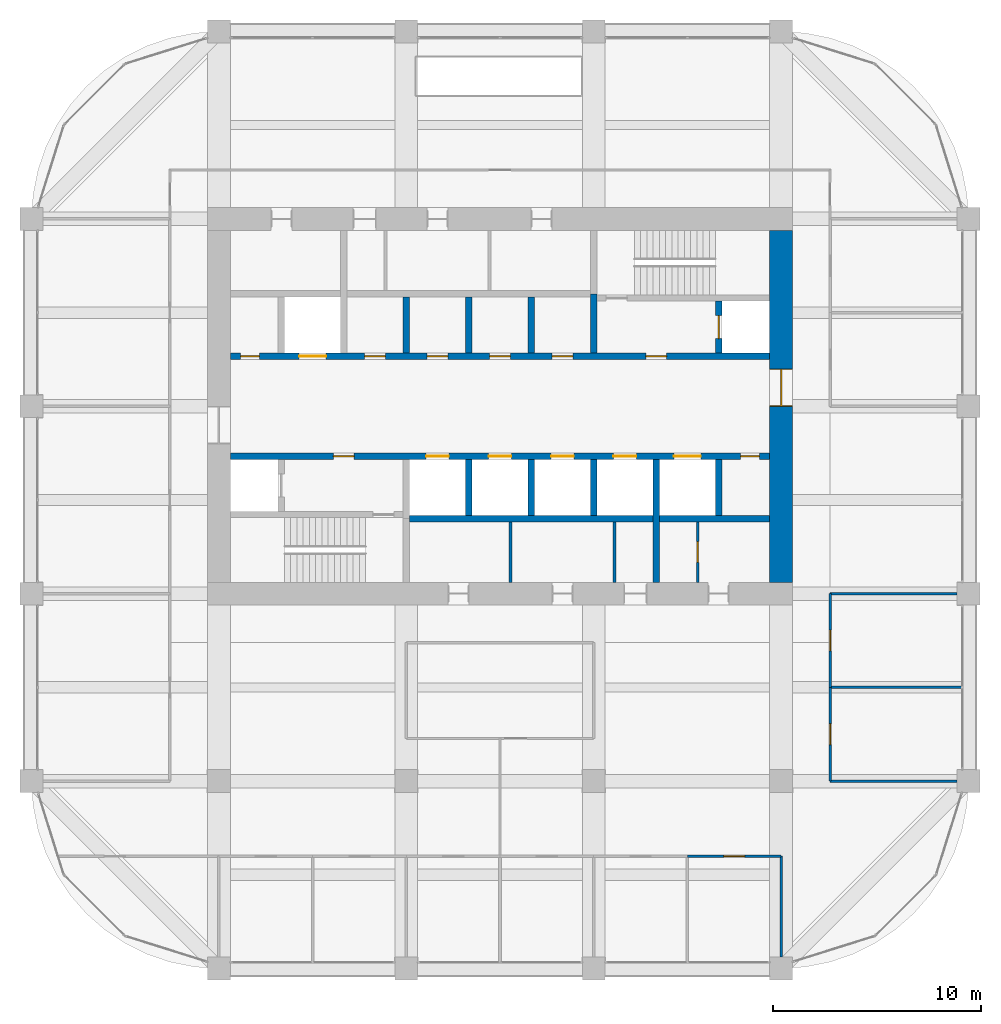
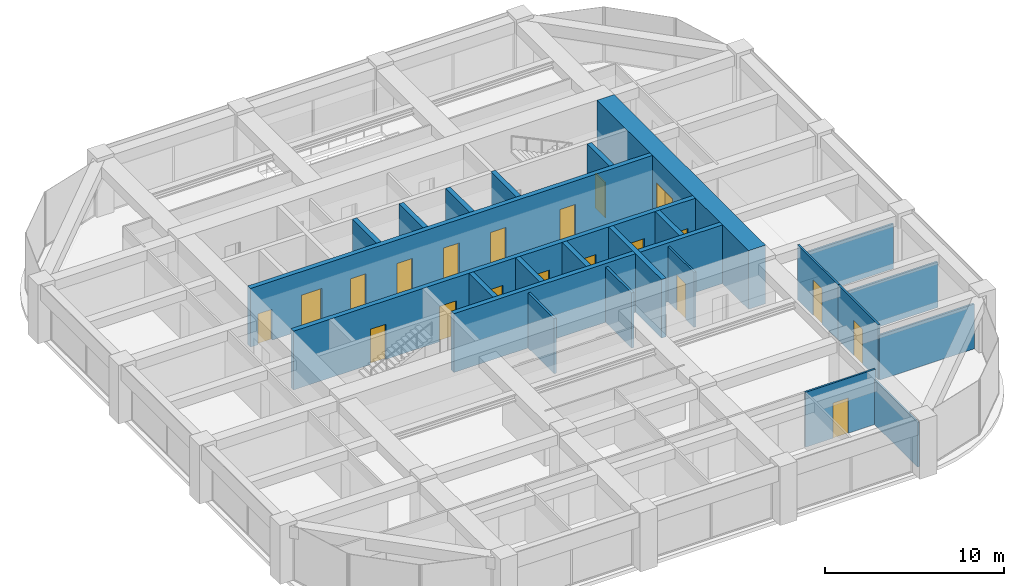
# One storey, part 42 of 44: 24 walls, 20 doors, 20 openings.
"""IFC4 building model written with IfcOpenShell, lengths in metres."""

from ifc_helpers import new_model, si_unit, direction, frame, frame_2d, origin, place, context, subcontext, project, spatial, rectangle, extrude, material, layer, layer_set, type_object, element, fill, save


model = new_model("IFC4")

# Units and contexts
model_context = context("Model", 3, precision=1e-05, world=origin(), true_north=direction((0.0, 1.0)))
body_context = subcontext(model_context, "Body", "Model", "MODEL_VIEW")
ifc_project = project(units=[si_unit("LENGTHUNIT", "METRE"), si_unit("AREAUNIT", "SQUARE_METRE"), si_unit("VOLUMEUNIT", "CUBIC_METRE"), si_unit("PLANEANGLEUNIT", "RADIAN"), si_unit("MASSUNIT", "GRAM", prefix="KILO")], contexts=[model_context])

# Site, building, storey
site_placement = place(None, origin())
site = spatial("IfcSite", under=ifc_project, at=site_placement, CompositionType="ELEMENT")
building_placement = place(site_placement, origin())
building = spatial("IfcBuilding", under=site, at=building_placement, Name="Zorevar Civic Tower", CompositionType="ELEMENT")
storey_placement = place(building_placement, frame((0.0, 0.0, 295.39990234375)))
storey = spatial("IfcBuildingStorey", under=building, at=storey_placement, Name="L72", CompositionType="ELEMENT", Elevation=295.39990234375)

# Wall, opening, door
ifc_material_1 = material(Name="Concrete C50/60", Category="concrete")
ifc_layer_1 = layer(ifc_material_1, 1.10009765625)
ifc_layer_set_1 = layer_set([ifc_layer_1], Name="Core wall 1100")
wall_type_1 = type_object("IfcWallType", Name="Core wall 1100", PredefinedType="SHEAR", material=ifc_layer_set_1)
wall_1_placement = place(storey_placement, frame((45.0, 18.550048828125, 0.0), z_axis=(0.0, 0.0, 1.0), x_axis=(0.0, 1.0, 0.0)))
wall_1 = element("IfcWall", 1, at=wall_1_placement, inside=storey, type_object=wall_type_1, Name="Core wall E L72", PredefinedType="SHEAR", context=body_context, shape_type="SweptSolid", body=[
    extrude(rectangle(XDim=16.89990234375, YDim=1.10009765625, at=frame_2d((8.449951171875, 0.0))), origin(), (0.0, 0.0, 1.0), 4.0),
])
opening_1_placement = place(wall_1_placement, frame((8.449951171875, 0.0, 0.0)))
opening_1 = element("IfcOpeningElement", 2, at=opening_1_placement, cuts=wall_1, Name="Opening L72.02", PredefinedType="OPENING", context=body_context, shape_type="SweptSolid", body=[
    extrude(rectangle(XDim=1.800048828125, YDim=2.39990234375, at=frame_2d((0.89990234375, 1.199951171875))), frame((0.0, 0.56005859375, 0.0), z_axis=(0.0, -1.0, 0.0), x_axis=(1.0, 0.0, 0.0)), (0.0, 0.0, 1.0), 1.1201171875),
])
ifc_material_2 = material(Name="Steel door set", Category="steel")
door_type_1 = type_object("IfcDoorType", Name="Fire door FD2 1800x2400", OperationType="DOUBLE_DOOR_DOUBLE_SWING", PredefinedType="DOOR", material=ifc_material_2)
door_1_placement = place(opening_1_placement, origin())
door_1 = element("IfcDoor", 3, at=door_1_placement, inside=storey, type_object=door_type_1, Name="Door L72 01", OperationType="DOUBLE_DOOR_DOUBLE_SWING", OverallHeight=2.39990234375, OverallWidth=1.800048828125, PredefinedType="DOOR", context=body_context, shape_type="SweptSolid", body=[
    extrude(rectangle(XDim=1.800048828125, YDim=2.39990234375, at=frame_2d((0.89990234375, 1.199951171875))), frame((0.0, 0.030029296875, 0.0), z_axis=(0.0, -1.0, 0.0), x_axis=(1.0, 0.0, 0.0)), (0.0, 0.0, 1.0), 0.06005859375),
    extrude(rectangle(XDim=0.04, YDim=2.39990234375, at=frame_2d((0.02001953125, 1.199951171875))), frame((0.0, 0.5498046875, 0.0), z_axis=(0.0, -1.0, 0.0), x_axis=(1.0, 0.0, 0.0)), (0.0, 0.0, 1.0), 1.099609375),
    extrude(rectangle(XDim=0.04, YDim=2.39990234375, at=frame_2d((1.780029296875, 1.199951171875))), frame((0.0, 0.5498046875, 0.0), z_axis=(0.0, -1.0, 0.0), x_axis=(1.0, 0.0, 0.0)), (0.0, 0.0, 1.0), 1.099609375),
    extrude(rectangle(XDim=1.800048828125, YDim=0.04, at=frame_2d((0.89990234375, 2.3798828125))), frame((0.0, 0.5498046875, 0.0), z_axis=(0.0, -1.0, 0.0), x_axis=(1.0, 0.0, 0.0)), (0.0, 0.0, 1.0), 1.099609375),
])
fill(opening_1, door_1)

ifc_material_3 = material(Name="Concrete C40/50", Category="concrete")
ifc_layer_2 = layer(ifc_material_3, 0.300048828125)
ifc_layer_set_2 = layer_set([ifc_layer_2], Name="Inner core wall 300")
wall_type_2 = type_object("IfcWallType", Name="Inner core wall 300", PredefinedType="SHEAR", material=ifc_layer_set_2)
wall_2_placement = place(storey_placement, frame((42.0, 29.550048828125, 0.0), z_axis=(0.0, 0.0, 1.0), x_axis=(0.0, 1.0, 0.0)))
wall_2 = element("IfcWall", 4, at=wall_2_placement, inside=storey, type_object=wall_type_2, Name="Inner core wall N02 L72", PredefinedType="SHEAR", context=body_context, shape_type="SweptSolid", body=[
    extrude(rectangle(XDim=2.5, YDim=0.300048828125, at=frame_2d((1.25, 0.0))), origin(), (0.0, 0.0, 1.0), 4.0),
])
opening_2_placement = place(wall_2_placement, frame((0.699951171875, 0.0, 0.0)))
opening_2 = element("IfcOpeningElement", 5, at=opening_2_placement, cuts=wall_2, Name="Opening L72.FL2", PredefinedType="OPENING", context=body_context, shape_type="SweptSolid", body=[
    extrude(rectangle(XDim=1.10009765625, YDim=2.39990234375, at=frame_2d((0.550048828125, 1.199951171875))), frame((0.0, 0.159912109375, 0.0), z_axis=(0.0, -1.0, 0.0), x_axis=(1.0, 0.0, 0.0)), (0.0, 0.0, 1.0), 0.320068359375),
])
ifc_material_4 = material(Name="Steel door set", Category="steel")
door_type_2 = type_object("IfcDoorType", Name="Firefighting lift landing door LD3 1100x2400", OperationType="DOUBLE_DOOR_SLIDING", PredefinedType="DOOR", material=ifc_material_4)
door_2_placement = place(opening_2_placement, origin())
door_2 = element("IfcDoor", 6, at=door_2_placement, inside=storey, type_object=door_type_2, Name="Landing door FL2 L72", OperationType="DOUBLE_DOOR_SLIDING", OverallHeight=2.39990234375, OverallWidth=1.10009765625, PredefinedType="DOOR", context=body_context, shape_type="SweptSolid", body=[
    extrude(rectangle(XDim=1.10009765625, YDim=2.39990234375, at=frame_2d((0.550048828125, 1.199951171875))), frame((0.0, 0.030029296875, 0.0), z_axis=(0.0, -1.0, 0.0), x_axis=(1.0, 0.0, 0.0)), (0.0, 0.0, 1.0), 0.06005859375),
])
fill(opening_2, door_2)

# Wall, openings, doors
wall_3_placement = place(storey_placement, frame((18.550048828125, 24.60009765625, 0.0), z_axis=(0.0, 0.0, 1.0), x_axis=(1.0, 0.0, 0.0)))
wall_3 = element("IfcWall", 7, at=wall_3_placement, inside=storey, type_object=wall_type_2, Name="Inner core wall S03 L72", PredefinedType="SHEAR", context=body_context, shape_type="SweptSolid", body=[
    extrude(rectangle(XDim=25.89990234375, YDim=0.300048828125, at=frame_2d((12.949951171875, 0.0))), origin(), (0.0, 0.0, 1.0), 4.0),
])
opening_3_placement = place(wall_3_placement, frame((4.949951171875, 0.0, 0.0)))
opening_3 = element("IfcOpeningElement", 8, at=opening_3_placement, cuts=wall_3, Name="Opening L72.13", PredefinedType="OPENING", context=body_context, shape_type="SweptSolid", body=[
    extrude(rectangle(XDim=1.0, YDim=2.39990234375, at=frame_2d((0.5, 1.199951171875))), frame((0.0, 0.159912109375, 0.0), z_axis=(0.0, -1.0, 0.0), x_axis=(1.0, 0.0, 0.0)), (0.0, 0.0, 1.0), 0.320068359375),
])
opening_4_placement = place(wall_3_placement, frame((24.5, 0.0, 0.0)))
opening_4 = element("IfcOpeningElement", 9, at=opening_4_placement, cuts=wall_3, Name="Opening L72.15", PredefinedType="OPENING", context=body_context, shape_type="SweptSolid", body=[
    extrude(rectangle(XDim=0.89990234375, YDim=2.10009765625, at=frame_2d((0.449951171875, 1.050048828125))), frame((0.0, 0.159912109375, 0.0), z_axis=(0.0, -1.0, 0.0), x_axis=(1.0, 0.0, 0.0)), (0.0, 0.0, 1.0), 0.320068359375),
])
opening_5_placement = place(wall_3_placement, frame((9.39990234375, 0.0, 0.0)))
opening_5 = element("IfcOpeningElement", 10, at=opening_5_placement, cuts=wall_3, Name="Opening L72.LT1", PredefinedType="OPENING", context=body_context, shape_type="SweptSolid", body=[
    extrude(rectangle(XDim=1.10009765625, YDim=2.39990234375, at=frame_2d((0.550048828125, 1.199951171875))), frame((0.0, 0.159912109375, 0.0), z_axis=(0.0, -1.0, 0.0), x_axis=(1.0, 0.0, 0.0)), (0.0, 0.0, 1.0), 0.320068359375),
])
opening_6_placement = place(wall_3_placement, frame((12.39990234375, 0.0, 0.0)))
opening_6 = element("IfcOpeningElement", 11, at=opening_6_placement, cuts=wall_3, Name="Opening L72.LT2", PredefinedType="OPENING", context=body_context, shape_type="SweptSolid", body=[
    extrude(rectangle(XDim=1.10009765625, YDim=2.39990234375, at=frame_2d((0.550048828125, 1.199951171875))), frame((0.0, 0.159912109375, 0.0), z_axis=(0.0, -1.0, 0.0), x_axis=(1.0, 0.0, 0.0)), (0.0, 0.0, 1.0), 0.320068359375),
])
opening_7_placement = place(wall_3_placement, frame((15.39990234375, 0.0, 0.0)))
opening_7 = element("IfcOpeningElement", 12, at=opening_7_placement, cuts=wall_3, Name="Opening L72.LT3", PredefinedType="OPENING", context=body_context, shape_type="SweptSolid", body=[
    extrude(rectangle(XDim=1.10009765625, YDim=2.39990234375, at=frame_2d((0.550048828125, 1.199951171875))), frame((0.0, 0.159912109375, 0.0), z_axis=(0.0, -1.0, 0.0), x_axis=(1.0, 0.0, 0.0)), (0.0, 0.0, 1.0), 0.320068359375),
])
opening_8_placement = place(wall_3_placement, frame((18.39990234375, 0.0, 0.0)))
opening_8 = element("IfcOpeningElement", 13, at=opening_8_placement, cuts=wall_3, Name="Opening L72.LT4", PredefinedType="OPENING", context=body_context, shape_type="SweptSolid", body=[
    extrude(rectangle(XDim=1.10009765625, YDim=2.39990234375, at=frame_2d((0.550048828125, 1.199951171875))), frame((0.0, 0.159912109375, 0.0), z_axis=(0.0, -1.0, 0.0), x_axis=(1.0, 0.0, 0.0)), (0.0, 0.0, 1.0), 0.320068359375),
])
opening_9_placement = place(wall_3_placement, frame((21.300048828125, 0.0, 0.0)))
opening_9 = element("IfcOpeningElement", 14, at=opening_9_placement, cuts=wall_3, Name="Opening L72.SL1", PredefinedType="OPENING", context=body_context, shape_type="SweptSolid", body=[
    extrude(rectangle(XDim=1.300048828125, YDim=2.39990234375, at=frame_2d((0.64990234375, 1.199951171875))), frame((0.0, 0.159912109375, 0.0), z_axis=(0.0, -1.0, 0.0), x_axis=(1.0, 0.0, 0.0)), (0.0, 0.0, 1.0), 0.320068359375),
])
ifc_material_5 = material(Name="Steel door set", Category="steel")
door_type_3 = type_object("IfcDoorType", Name="Fire door FD1 1000x2400", OperationType="SINGLE_SWING_LEFT", PredefinedType="DOOR", material=ifc_material_5)
door_3_placement = place(opening_3_placement, origin())
door_3 = element("IfcDoor", 15, at=door_3_placement, inside=storey, type_object=door_type_3, Name="Door L72 12", OperationType="SINGLE_SWING_RIGHT", OverallHeight=2.39990234375, OverallWidth=1.0, PredefinedType="DOOR", context=body_context, shape_type="SweptSolid", body=[
    extrude(rectangle(XDim=1.0, YDim=2.39990234375, at=frame_2d((0.5, 1.199951171875))), frame((0.0, 0.030029296875, 0.0), z_axis=(0.0, -1.0, 0.0), x_axis=(1.0, 0.0, 0.0)), (0.0, 0.0, 1.0), 0.06005859375),
])
fill(opening_3, door_3)
ifc_material_6 = material(Name="Steel door set", Category="steel")
door_type_4 = type_object("IfcDoorType", Name="Landing door LD1 1100x2400", OperationType="DOUBLE_DOOR_SLIDING", PredefinedType="DOOR", material=ifc_material_6)
door_4_placement = place(opening_5_placement, origin())
door_4 = element("IfcDoor", 16, at=door_4_placement, inside=storey, type_object=door_type_4, Name="Landing door LT1 L72", OperationType="DOUBLE_DOOR_SLIDING", OverallHeight=2.39990234375, OverallWidth=1.10009765625, PredefinedType="DOOR", context=body_context, shape_type="SweptSolid", body=[
    extrude(rectangle(XDim=1.10009765625, YDim=2.39990234375, at=frame_2d((0.550048828125, 1.199951171875))), frame((0.0, 0.02001953125, 0.0), z_axis=(0.0, -1.0, 0.0), x_axis=(1.0, 0.0, 0.0)), (0.0, 0.0, 1.0), 0.0400390625),
])
fill(opening_5, door_4)
door_5_placement = place(opening_6_placement, origin())
door_5 = element("IfcDoor", 17, at=door_5_placement, inside=storey, type_object=door_type_4, Name="Landing door LT2 L72", OperationType="DOUBLE_DOOR_SLIDING", OverallHeight=2.39990234375, OverallWidth=1.10009765625, PredefinedType="DOOR", context=body_context, shape_type="SweptSolid", body=[
    extrude(rectangle(XDim=1.10009765625, YDim=2.39990234375, at=frame_2d((0.550048828125, 1.199951171875))), frame((0.0, 0.02001953125, 0.0), z_axis=(0.0, -1.0, 0.0), x_axis=(1.0, 0.0, 0.0)), (0.0, 0.0, 1.0), 0.0400390625),
])
fill(opening_6, door_5)
door_6_placement = place(opening_7_placement, origin())
door_6 = element("IfcDoor", 18, at=door_6_placement, inside=storey, type_object=door_type_4, Name="Landing door LT3 L72", OperationType="DOUBLE_DOOR_SLIDING", OverallHeight=2.39990234375, OverallWidth=1.10009765625, PredefinedType="DOOR", context=body_context, shape_type="SweptSolid", body=[
    extrude(rectangle(XDim=1.10009765625, YDim=2.39990234375, at=frame_2d((0.550048828125, 1.199951171875))), frame((0.0, 0.02001953125, 0.0), z_axis=(0.0, -1.0, 0.0), x_axis=(1.0, 0.0, 0.0)), (0.0, 0.0, 1.0), 0.0400390625),
])
fill(opening_7, door_6)
door_7_placement = place(opening_8_placement, origin())
door_7 = element("IfcDoor", 19, at=door_7_placement, inside=storey, type_object=door_type_4, Name="Landing door LT4 L72", OperationType="DOUBLE_DOOR_SLIDING", OverallHeight=2.39990234375, OverallWidth=1.10009765625, PredefinedType="DOOR", context=body_context, shape_type="SweptSolid", body=[
    extrude(rectangle(XDim=1.10009765625, YDim=2.39990234375, at=frame_2d((0.550048828125, 1.199951171875))), frame((0.0, 0.02001953125, 0.0), z_axis=(0.0, -1.0, 0.0), x_axis=(1.0, 0.0, 0.0)), (0.0, 0.0, 1.0), 0.0400390625),
])
fill(opening_8, door_7)
ifc_material_7 = material(Name="Steel door set", Category="steel")
door_type_5 = type_object("IfcDoorType", Name="Landing door LD2 1300x2400", OperationType="DOUBLE_DOOR_SLIDING", PredefinedType="DOOR", material=ifc_material_7)
door_8_placement = place(opening_9_placement, origin())
door_8 = element("IfcDoor", 20, at=door_8_placement, inside=storey, type_object=door_type_5, Name="Landing door SL1 L72", OperationType="DOUBLE_DOOR_SLIDING", OverallHeight=2.39990234375, OverallWidth=1.300048828125, PredefinedType="DOOR", context=body_context, shape_type="SweptSolid", body=[
    extrude(rectangle(XDim=1.300048828125, YDim=2.39990234375, at=frame_2d((0.64990234375, 1.199951171875))), frame((0.0, 0.02001953125, 0.0), z_axis=(0.0, -1.0, 0.0), x_axis=(1.0, 0.0, 0.0)), (0.0, 0.0, 1.0), 0.0400390625),
])
fill(opening_9, door_8)
ifc_material_8 = material(Name="Steel door set", Category="steel")
door_type_6 = type_object("IfcDoorType", Name="Riser door RD1 900x2100", OperationType="SINGLE_SWING_LEFT", PredefinedType="DOOR", material=ifc_material_8)
door_9_placement = place(opening_4_placement, origin())
door_9 = element("IfcDoor", 21, at=door_9_placement, inside=storey, type_object=door_type_6, Name="Door L72 14", OperationType="SINGLE_SWING_RIGHT", OverallHeight=2.10009765625, OverallWidth=0.89990234375, PredefinedType="DOOR", context=body_context, shape_type="SweptSolid", body=[
    extrude(rectangle(XDim=0.89990234375, YDim=2.10009765625, at=frame_2d((0.449951171875, 1.050048828125))), frame((0.0, 0.030029296875, 0.0), z_axis=(0.0, -1.0, 0.0), x_axis=(1.0, 0.0, 0.0)), (0.0, 0.0, 1.0), 0.06005859375),
])
fill(opening_4, door_9)

wall_4_placement = place(storey_placement, frame((18.550048828125, 29.39990234375, 0.0), z_axis=(0.0, 0.0, 1.0), x_axis=(1.0, 0.0, 0.0)))
wall_4 = element("IfcWall", 22, at=wall_4_placement, inside=storey, type_object=wall_type_2, Name="Inner core wall N03 L72", PredefinedType="SHEAR", context=body_context, shape_type="SweptSolid", body=[
    extrude(rectangle(XDim=25.89990234375, YDim=0.300048828125, at=frame_2d((12.949951171875, 0.0))), origin(), (0.0, 0.0, 1.0), 4.0),
])
opening_10_placement = place(wall_4_placement, frame((19.949951171875, 0.0, 0.0)))
opening_10 = element("IfcOpeningElement", 23, at=opening_10_placement, cuts=wall_4, Name="Opening L72.14", PredefinedType="OPENING", context=body_context, shape_type="SweptSolid", body=[
    extrude(rectangle(XDim=1.0, YDim=2.39990234375, at=frame_2d((0.5, 1.199951171875))), frame((0.0, 0.159912109375, 0.0), z_axis=(0.0, -1.0, 0.0), x_axis=(1.0, 0.0, 0.0)), (0.0, 0.0, 1.0), 0.320068359375),
])
opening_11_placement = place(wall_4_placement, frame((0.5, 0.0, 0.0)))
opening_11 = element("IfcOpeningElement", 24, at=opening_11_placement, cuts=wall_4, Name="Opening L72.16", PredefinedType="OPENING", context=body_context, shape_type="SweptSolid", body=[
    extrude(rectangle(XDim=0.89990234375, YDim=2.10009765625, at=frame_2d((0.449951171875, 1.050048828125))), frame((0.0, 0.159912109375, 0.0), z_axis=(0.0, -1.0, 0.0), x_axis=(1.0, 0.0, 0.0)), (0.0, 0.0, 1.0), 0.320068359375),
])
opening_12_placement = place(wall_4_placement, frame((15.449951171875, 0.0, 0.0)))
opening_12 = element("IfcOpeningElement", 25, at=opening_12_placement, cuts=wall_4, Name="Opening L72.36", PredefinedType="OPENING", context=body_context, shape_type="SweptSolid", body=[
    extrude(rectangle(XDim=1.0, YDim=2.39990234375, at=frame_2d((0.5, 1.199951171875))), frame((0.0, 0.159912109375, 0.0), z_axis=(0.0, -1.0, 0.0), x_axis=(1.0, 0.0, 0.0)), (0.0, 0.0, 1.0), 0.320068359375),
])
opening_13_placement = place(wall_4_placement, frame((12.449951171875, 0.0, 0.0)))
opening_13 = element("IfcOpeningElement", 26, at=opening_13_placement, cuts=wall_4, Name="Opening L72.37", PredefinedType="OPENING", context=body_context, shape_type="SweptSolid", body=[
    extrude(rectangle(XDim=1.0, YDim=2.39990234375, at=frame_2d((0.5, 1.199951171875))), frame((0.0, 0.159912109375, 0.0), z_axis=(0.0, -1.0, 0.0), x_axis=(1.0, 0.0, 0.0)), (0.0, 0.0, 1.0), 0.320068359375),
])
opening_14_placement = place(wall_4_placement, frame((9.449951171875, 0.0, 0.0)))
opening_14 = element("IfcOpeningElement", 27, at=opening_14_placement, cuts=wall_4, Name="Opening L72.38", PredefinedType="OPENING", context=body_context, shape_type="SweptSolid", body=[
    extrude(rectangle(XDim=1.0, YDim=2.39990234375, at=frame_2d((0.5, 1.199951171875))), frame((0.0, 0.159912109375, 0.0), z_axis=(0.0, -1.0, 0.0), x_axis=(1.0, 0.0, 0.0)), (0.0, 0.0, 1.0), 0.320068359375),
])
opening_15_placement = place(wall_4_placement, frame((6.449951171875, 0.0, 0.0)))
opening_15 = element("IfcOpeningElement", 28, at=opening_15_placement, cuts=wall_4, Name="Opening L72.39", PredefinedType="OPENING", context=body_context, shape_type="SweptSolid", body=[
    extrude(rectangle(XDim=1.0, YDim=2.39990234375, at=frame_2d((0.5, 1.199951171875))), frame((0.0, 0.159912109375, 0.0), z_axis=(0.0, -1.0, 0.0), x_axis=(1.0, 0.0, 0.0)), (0.0, 0.0, 1.0), 0.320068359375),
])
opening_16_placement = place(wall_4_placement, frame((3.300048828125, 0.0, 0.0)))
opening_16 = element("IfcOpeningElement", 29, at=opening_16_placement, cuts=wall_4, Name="Opening L72.SL2", PredefinedType="OPENING", context=body_context, shape_type="SweptSolid", body=[
    extrude(rectangle(XDim=1.300048828125, YDim=2.39990234375, at=frame_2d((0.64990234375, 1.199951171875))), frame((0.0, 0.159912109375, 0.0), z_axis=(0.0, -1.0, 0.0), x_axis=(1.0, 0.0, 0.0)), (0.0, 0.0, 1.0), 0.320068359375),
])
door_10_placement = place(opening_10_placement, origin())
door_10 = element("IfcDoor", 30, at=door_10_placement, inside=storey, type_object=door_type_3, Name="Door L72 13", OperationType="SINGLE_SWING_RIGHT", OverallHeight=2.39990234375, OverallWidth=1.0, PredefinedType="DOOR", context=body_context, shape_type="SweptSolid", body=[
    extrude(rectangle(XDim=1.0, YDim=2.39990234375, at=frame_2d((0.5, 1.199951171875))), frame((0.0, 0.030029296875, 0.0), z_axis=(0.0, -1.0, 0.0), x_axis=(1.0, 0.0, 0.0)), (0.0, 0.0, 1.0), 0.06005859375),
])
fill(opening_10, door_10)
door_11_placement = place(opening_12_placement, origin())
door_11 = element("IfcDoor", 31, at=door_11_placement, inside=storey, type_object=door_type_3, Name="Door L72 LM1 shaft room", OperationType="SINGLE_SWING_LEFT", OverallHeight=2.39990234375, OverallWidth=1.0, PredefinedType="DOOR", context=body_context, shape_type="SweptSolid", body=[
    extrude(rectangle(XDim=1.0, YDim=2.39990234375, at=frame_2d((0.5, 1.199951171875))), frame((0.0, 0.030029296875, 0.0), z_axis=(0.0, -1.0, 0.0), x_axis=(1.0, 0.0, 0.0)), (0.0, 0.0, 1.0), 0.06005859375),
])
fill(opening_12, door_11)
door_12_placement = place(opening_13_placement, origin())
door_12 = element("IfcDoor", 32, at=door_12_placement, inside=storey, type_object=door_type_3, Name="Door L72 LM2 shaft room", OperationType="SINGLE_SWING_LEFT", OverallHeight=2.39990234375, OverallWidth=1.0, PredefinedType="DOOR", context=body_context, shape_type="SweptSolid", body=[
    extrude(rectangle(XDim=1.0, YDim=2.39990234375, at=frame_2d((0.5, 1.199951171875))), frame((0.0, 0.030029296875, 0.0), z_axis=(0.0, -1.0, 0.0), x_axis=(1.0, 0.0, 0.0)), (0.0, 0.0, 1.0), 0.06005859375),
])
fill(opening_13, door_12)
door_13_placement = place(opening_14_placement, origin())
door_13 = element("IfcDoor", 33, at=door_13_placement, inside=storey, type_object=door_type_3, Name="Door L72 LH1 shaft room", OperationType="SINGLE_SWING_RIGHT", OverallHeight=2.39990234375, OverallWidth=1.0, PredefinedType="DOOR", context=body_context, shape_type="SweptSolid", body=[
    extrude(rectangle(XDim=1.0, YDim=2.39990234375, at=frame_2d((0.5, 1.199951171875))), frame((0.0, 0.030029296875, 0.0), z_axis=(0.0, -1.0, 0.0), x_axis=(1.0, 0.0, 0.0)), (0.0, 0.0, 1.0), 0.06005859375),
])
fill(opening_14, door_13)
door_14_placement = place(opening_15_placement, origin())
door_14 = element("IfcDoor", 34, at=door_14_placement, inside=storey, type_object=door_type_3, Name="Door L72 LH2 shaft room", OperationType="SINGLE_SWING_RIGHT", OverallHeight=2.39990234375, OverallWidth=1.0, PredefinedType="DOOR", context=body_context, shape_type="SweptSolid", body=[
    extrude(rectangle(XDim=1.0, YDim=2.39990234375, at=frame_2d((0.5, 1.199951171875))), frame((0.0, 0.030029296875, 0.0), z_axis=(0.0, -1.0, 0.0), x_axis=(1.0, 0.0, 0.0)), (0.0, 0.0, 1.0), 0.06005859375),
])
fill(opening_15, door_14)
door_15_placement = place(opening_16_placement, origin())
door_15 = element("IfcDoor", 35, at=door_15_placement, inside=storey, type_object=door_type_5, Name="Landing door SL2 L72", OperationType="DOUBLE_DOOR_SLIDING", OverallHeight=2.39990234375, OverallWidth=1.300048828125, PredefinedType="DOOR", context=body_context, shape_type="SweptSolid", body=[
    extrude(rectangle(XDim=1.300048828125, YDim=2.39990234375, at=frame_2d((0.64990234375, 1.199951171875))), frame((0.0, 0.02001953125, 0.0), z_axis=(0.0, -1.0, 0.0), x_axis=(1.0, 0.0, 0.0)), (0.0, 0.0, 1.0), 0.0400390625),
])
fill(opening_16, door_15)
door_16_placement = place(opening_11_placement, origin())
door_16 = element("IfcDoor", 36, at=door_16_placement, inside=storey, type_object=door_type_6, Name="Door L72 15", OperationType="SINGLE_SWING_RIGHT", OverallHeight=2.10009765625, OverallWidth=0.89990234375, PredefinedType="DOOR", context=body_context, shape_type="SweptSolid", body=[
    extrude(rectangle(XDim=0.89990234375, YDim=2.10009765625, at=frame_2d((0.449951171875, 1.050048828125))), frame((0.0, 0.030029296875, 0.0), z_axis=(0.0, -1.0, 0.0), x_axis=(1.0, 0.0, 0.0)), (0.0, 0.0, 1.0), 0.06005859375),
])
fill(opening_11, door_16)

# Walls
wall_5_placement = place(storey_placement, frame((27.14990234375, 21.60009765625, 0.0), z_axis=(0.0, 0.0, 1.0), x_axis=(1.0, 0.0, 0.0)))
element("IfcWall", 37, at=wall_5_placement, inside=storey, type_object=wall_type_2, Name="Inner core wall S04 L72", PredefinedType="SHEAR", context=body_context, shape_type="SweptSolid", body=[
    extrude(rectangle(XDim=17.300048828125, YDim=0.300048828125, at=frame_2d((8.64990234375, 0.0))), origin(), (0.0, 0.0, 1.0), 4.0),
])
for number, where, z_axis, x_axis, name in (
    (38, (30.0, 21.75, 0.0), (0.0, 0.0, 1.0), (0.0, 1.0, 0.0), "Inner core wall S05 L72"),
    (39, (33.0, 29.550048828125, 0.0), (0.0, 0.0, 1.0), (0.0, 1.0, 0.0), "Inner core wall N05 L72"),
    (40, (33.0, 21.75, 0.0), (0.0, 0.0, 1.0), (0.0, 1.0, 0.0), "Inner core wall S06 L72"),
    (41, (30.0, 29.550048828125, 0.0), (0.0, 0.0, 1.0), (0.0, 1.0, 0.0), "Inner core wall N06 L72"),
    (42, (36.0, 21.75, 0.0), (0.0, 0.0, 1.0), (0.0, 1.0, 0.0), "Inner core wall S07 L72"),
    (43, (27.0, 29.550048828125, 0.0), (0.0, 0.0, 1.0), (0.0, 1.0, 0.0), "Inner core wall N07 L72"),
):
    element("IfcWall", number, at=place(storey_placement, frame(where, z_axis=z_axis, x_axis=x_axis)), inside=storey, type_object=wall_type_2, Name=name, PredefinedType="SHEAR", context=body_context, shape_type="SweptSolid", body=[
        extrude(rectangle(XDim=2.699951171875, YDim=0.300048828125, at=frame_2d((1.35009765625, 0.0))), origin(), (0.0, 0.0, 1.0), 4.0),
    ])
wall_6_placement = place(storey_placement, frame((39.0, 18.550048828125, 0.0), z_axis=(0.0, 0.0, 1.0), x_axis=(0.0, 1.0, 0.0)))
element("IfcWall", 44, at=wall_6_placement, inside=storey, type_object=wall_type_2, Name="Inner core wall S08 L72", PredefinedType="SHEAR", context=body_context, shape_type="SweptSolid", body=[
    extrude(rectangle(XDim=5.89990234375, YDim=0.300048828125, at=frame_2d((2.949951171875, 0.0))), origin(), (0.0, 0.0, 1.0), 4.0),
])
wall_7_placement = place(storey_placement, frame((42.0, 21.75, 0.0), z_axis=(0.0, 0.0, 1.0), x_axis=(0.0, 1.0, 0.0)))
element("IfcWall", 45, at=wall_7_placement, inside=storey, type_object=wall_type_2, Name="Inner core wall S09 L72", PredefinedType="SHEAR", context=body_context, shape_type="SweptSolid", body=[
    extrude(rectangle(XDim=2.699951171875, YDim=0.300048828125, at=frame_2d((1.35009765625, 0.0))), origin(), (0.0, 0.0, 1.0), 4.0),
])
wall_8_placement = place(storey_placement, frame((36.0, 29.550048828125, 0.0), z_axis=(0.0, 0.0, 1.0), x_axis=(0.0, 1.0, 0.0)))
element("IfcWall", 46, at=wall_8_placement, inside=storey, type_object=wall_type_2, Name="Inner core wall N10 L72", PredefinedType="SHEAR", context=body_context, shape_type="SweptSolid", body=[
    extrude(rectangle(XDim=2.849853515625, YDim=0.300048828125, at=frame_2d((1.4248046875, 0.0))), origin(), (0.0, 0.0, 1.0), 4.0),
])

# Wall, opening, door
ifc_material_9 = material(Name="Gypsum board on steel studs", Category="steel")
ifc_layer_3 = layer(ifc_material_9, 0.1201171875)
ifc_layer_set_3 = layer_set([ifc_layer_3], Name="Partition 120")
wall_type_3 = type_object("IfcWallType", Name="Partition 120", PredefinedType="PARTITIONING", material=ifc_layer_set_3)
wall_9_placement = place(storey_placement, frame((40.5, 5.39990234375, 0.0), z_axis=(0.0, 0.0, 1.0), x_axis=(1.0, 0.0, 0.0)))
wall_9 = element("IfcWall", 47, at=wall_9_placement, inside=storey, type_object=wall_type_3, Name="Partition 120 L72", PredefinedType="PARTITIONING", context=body_context, shape_type="SweptSolid", body=[
    extrude(rectangle(XDim=4.5, YDim=0.1201171875, at=frame_2d((2.25, 0.0))), origin(), (0.0, 0.0, 1.0), 3.75),
])
opening_17_placement = place(wall_9_placement, frame((1.75, 0.0, 0.0)))
opening_17 = element("IfcOpeningElement", 48, at=opening_17_placement, cuts=wall_9, Name="Opening L72.22", PredefinedType="OPENING", context=body_context, shape_type="SweptSolid", body=[
    extrude(rectangle(XDim=1.0, YDim=2.39990234375, at=frame_2d((0.5, 1.199951171875))), frame((0.0, 0.070068359375, 0.0), z_axis=(0.0, -1.0, 0.0), x_axis=(1.0, 0.0, 0.0)), (0.0, 0.0, 1.0), 0.14013671875),
])
ifc_material_10 = material(Name="Timber door set", Category="wood")
door_type_7 = type_object("IfcDoorType", Name="Door D1 1000x2400", OperationType="SINGLE_SWING_LEFT", PredefinedType="DOOR", material=ifc_material_10)
door_17_placement = place(opening_17_placement, origin())
door_17 = element("IfcDoor", 49, at=door_17_placement, inside=storey, type_object=door_type_7, Name="Door L72 D1", OperationType="SINGLE_SWING_LEFT", OverallHeight=2.39990234375, OverallWidth=1.0, PredefinedType="DOOR", context=body_context, shape_type="SweptSolid", body=[
    extrude(rectangle(XDim=1.0, YDim=2.39990234375, at=frame_2d((0.5, 1.199951171875))), frame((0.0, 0.02490234375, 0.0), z_axis=(0.0, -1.0, 0.0), x_axis=(1.0, 0.0, 0.0)), (0.0, 0.0, 1.0), 0.050048828125),
])
fill(opening_17, door_17)

# Walls
wall_10_placement = place(storey_placement, frame((47.35009765625, 9.0, 0.0), z_axis=(0.0, 0.0, 1.0), x_axis=(1.0, 0.0, 0.0)))
element("IfcWall", 50, at=wall_10_placement, inside=storey, type_object=wall_type_3, Name="Partition 120 L72", PredefinedType="PARTITIONING", context=body_context, shape_type="SweptSolid", body=[
    extrude(rectangle(XDim=6.099853515625, YDim=0.1201171875, at=frame_2d((3.0498046875, 0.0))), origin(), (0.0, 0.0, 1.0), 3.050048828125),
])
wall_11_placement = place(storey_placement, frame((47.35009765625, 13.5, 0.0), z_axis=(0.0, 0.0, 1.0), x_axis=(1.0, 0.0, 0.0)))
element("IfcWall", 51, at=wall_11_placement, inside=storey, type_object=wall_type_3, Name="Partition 120 L72", PredefinedType="PARTITIONING", context=body_context, shape_type="SweptSolid", body=[
    extrude(rectangle(XDim=6.33984375, YDim=0.1201171875, at=frame_2d((3.169921875, 0.0))), origin(), (0.0, 0.0, 1.0), 3.10009765625),
])
wall_12_placement = place(storey_placement, frame((47.35009765625, 18.0, 0.0), z_axis=(0.0, 0.0, 1.0), x_axis=(1.0, 0.0, 0.0)))
element("IfcWall", 52, at=wall_12_placement, inside=storey, type_object=wall_type_3, Name="Partition 120 L72", PredefinedType="PARTITIONING", context=body_context, shape_type="SweptSolid", body=[
    extrude(rectangle(XDim=6.099853515625, YDim=0.1201171875, at=frame_2d((3.0498046875, 0.0))), origin(), (0.0, 0.0, 1.0), 3.050048828125),
])
wall_13_placement = place(storey_placement, frame((45.0, 0.550048828125, 0.0), z_axis=(0.0, 0.0, 1.0), x_axis=(0.0, 1.0, 0.0)))
element("IfcWall", 53, at=wall_13_placement, inside=storey, type_object=wall_type_3, Name="Partition 120 L72", PredefinedType="PARTITIONING", context=body_context, shape_type="SweptSolid", body=[
    extrude(rectangle(XDim=4.849853515625, YDim=0.1201171875, at=frame_2d((2.4248046875, 0.0))), origin(), (0.0, 0.0, 1.0), 3.050048828125),
])

# Wall, opening, door
wall_14_placement = place(storey_placement, frame((47.35009765625, 9.0, 0.0), z_axis=(0.0, 0.0, 1.0), x_axis=(0.0, 1.0, 0.0)))
wall_14 = element("IfcWall", 54, at=wall_14_placement, inside=storey, type_object=wall_type_3, Name="Partition 120 L72", PredefinedType="PARTITIONING", context=body_context, shape_type="SweptSolid", body=[
    extrude(rectangle(XDim=4.5, YDim=0.1201171875, at=frame_2d((2.25, 0.0))), origin(), (0.0, 0.0, 1.0), 3.75),
])
opening_18_placement = place(wall_14_placement, frame((1.75, 0.0, 0.0)))
opening_18 = element("IfcOpeningElement", 55, at=opening_18_placement, cuts=wall_14, Name="Opening L72.30", PredefinedType="OPENING", context=body_context, shape_type="SweptSolid", body=[
    extrude(rectangle(XDim=1.0, YDim=2.39990234375, at=frame_2d((0.5, 1.199951171875))), frame((0.0, 0.070068359375, 0.0), z_axis=(0.0, -1.0, 0.0), x_axis=(1.0, 0.0, 0.0)), (0.0, 0.0, 1.0), 0.14013671875),
])
door_18_placement = place(opening_18_placement, origin())
door_18 = element("IfcDoor", 56, at=door_18_placement, inside=storey, type_object=door_type_7, Name="Door L72 D1", OperationType="SINGLE_SWING_LEFT", OverallHeight=2.39990234375, OverallWidth=1.0, PredefinedType="DOOR", context=body_context, shape_type="SweptSolid", body=[
    extrude(rectangle(XDim=1.0, YDim=2.39990234375, at=frame_2d((0.5, 1.199951171875))), frame((0.0, 0.02490234375, 0.0), z_axis=(0.0, -1.0, 0.0), x_axis=(1.0, 0.0, 0.0)), (0.0, 0.0, 1.0), 0.050048828125),
])
fill(opening_18, door_18)

wall_15_placement = place(storey_placement, frame((47.35009765625, 13.5, 0.0), z_axis=(0.0, 0.0, 1.0), x_axis=(0.0, 1.0, 0.0)))
wall_15 = element("IfcWall", 57, at=wall_15_placement, inside=storey, type_object=wall_type_3, Name="Partition 120 L72", PredefinedType="PARTITIONING", context=body_context, shape_type="SweptSolid", body=[
    extrude(rectangle(XDim=4.5, YDim=0.1201171875, at=frame_2d((2.25, 0.0))), origin(), (0.0, 0.0, 1.0), 3.75),
])
opening_19_placement = place(wall_15_placement, frame((1.75, 0.0, 0.0)))
opening_19 = element("IfcOpeningElement", 58, at=opening_19_placement, cuts=wall_15, Name="Opening L72.31", PredefinedType="OPENING", context=body_context, shape_type="SweptSolid", body=[
    extrude(rectangle(XDim=1.0, YDim=2.39990234375, at=frame_2d((0.5, 1.199951171875))), frame((0.0, 0.070068359375, 0.0), z_axis=(0.0, -1.0, 0.0), x_axis=(1.0, 0.0, 0.0)), (0.0, 0.0, 1.0), 0.14013671875),
])
door_19_placement = place(opening_19_placement, origin())
door_19 = element("IfcDoor", 59, at=door_19_placement, inside=storey, type_object=door_type_7, Name="Door L72 D1", OperationType="SINGLE_SWING_RIGHT", OverallHeight=2.39990234375, OverallWidth=1.0, PredefinedType="DOOR", context=body_context, shape_type="SweptSolid", body=[
    extrude(rectangle(XDim=1.0, YDim=2.39990234375, at=frame_2d((0.5, 1.199951171875))), frame((0.0, 0.02490234375, 0.0), z_axis=(0.0, -1.0, 0.0), x_axis=(1.0, 0.0, 0.0)), (0.0, 0.0, 1.0), 0.050048828125),
])
fill(opening_19, door_19)

wall_16_placement = place(storey_placement, frame((41.0, 18.550048828125, 0.0), z_axis=(0.0, 0.0, 1.0), x_axis=(0.0, 1.0, 0.0)))
wall_16 = element("IfcWall", 60, at=wall_16_placement, inside=storey, type_object=wall_type_3, Name="Partition L72", PredefinedType="PARTITIONING", context=body_context, shape_type="SweptSolid", body=[
    extrude(rectangle(XDim=2.89990234375, YDim=0.1201171875, at=frame_2d((1.449951171875, 0.0))), origin(), (0.0, 0.0, 1.0), 3.75),
])
opening_20_placement = place(wall_16_placement, frame((0.949951171875, 0.0, 0.0)))
opening_20 = element("IfcOpeningElement", 61, at=opening_20_placement, cuts=wall_16, Name="Opening L72.35", PredefinedType="OPENING", context=body_context, shape_type="SweptSolid", body=[
    extrude(rectangle(XDim=1.0, YDim=2.39990234375, at=frame_2d((0.5, 1.199951171875))), frame((0.0, 0.070068359375, 0.0), z_axis=(0.0, -1.0, 0.0), x_axis=(1.0, 0.0, 0.0)), (0.0, 0.0, 1.0), 0.14013671875),
])
door_20_placement = place(opening_20_placement, origin())
door_20 = element("IfcDoor", 62, at=door_20_placement, inside=storey, type_object=door_type_3, Name="Door L72 ES", OperationType="SINGLE_SWING_RIGHT", OverallHeight=2.39990234375, OverallWidth=1.0, PredefinedType="DOOR", context=body_context, shape_type="SweptSolid", body=[
    extrude(rectangle(XDim=1.0, YDim=2.39990234375, at=frame_2d((0.5, 1.199951171875))), frame((0.0, 0.030029296875, 0.0), z_axis=(0.0, -1.0, 0.0), x_axis=(1.0, 0.0, 0.0)), (0.0, 0.0, 1.0), 0.06005859375),
])
fill(opening_20, door_20)

# Walls
ifc_material_11 = material(Name="Gypsum board on steel studs, moisture resistant", Category="steel")
ifc_layer_4 = layer(ifc_material_11, 0.14990234375)
ifc_layer_set_4 = layer_set([ifc_layer_4], Name="WC partition 150")
wall_type_4 = type_object("IfcWallType", Name="WC partition 150", PredefinedType="PARTITIONING", material=ifc_layer_set_4)
for number, where, z_axis, x_axis, name in (
    (63, (32.0, 18.550048828125, 0.0), (0.0, 0.0, 1.0), (0.0, 1.0, 0.0), "WC partition L72"),
    (64, (37.0, 18.550048828125, 0.0), (0.0, 0.0, 1.0), (0.0, 1.0, 0.0), "WC partition L72"),
):
    element("IfcWall", number, at=place(storey_placement, frame(where, z_axis=z_axis, x_axis=x_axis)), inside=storey, type_object=wall_type_4, Name=name, PredefinedType="PARTITIONING", context=body_context, shape_type="SweptSolid", body=[
        extrude(rectangle(XDim=2.89990234375, YDim=0.14990234375, at=frame_2d((1.449951171875, 0.0))), origin(), (0.0, 0.0, 1.0), 3.75),
    ])

save(model, "model.ifc")
